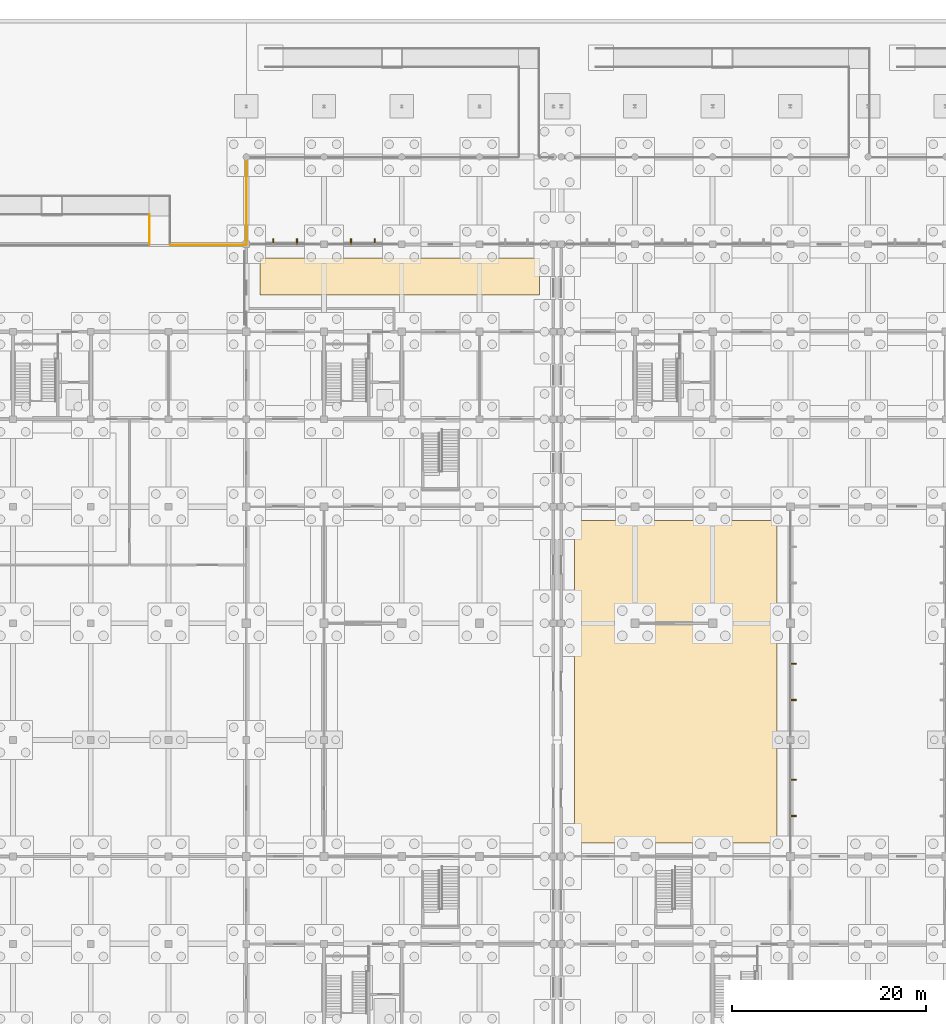
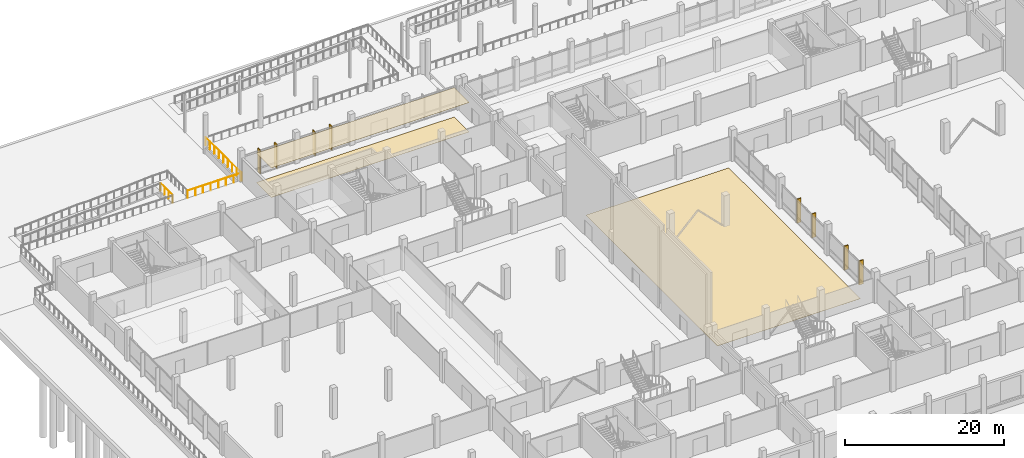
# One storey, part 65 of 72: 8 shading devices, 3 coverings, 3 railings.
"""IFC4 building model written with IfcOpenShell, lengths in metres."""

from ifc_helpers import new_model, si_unit, direction, frame, origin, origin_2d, place, context, subcontext, project, spatial, polyline, rectangle, circle, outline, extrude, material, layer, layer_set, type_object, element, save


model = new_model("IFC4")

# Units and contexts
model_context = context("Model", 3, precision=1e-05, world=origin(), true_north=direction((0.0, 1.0)))
body_context = subcontext(model_context, "Body", "Model", "MODEL_VIEW")
ifc_project = project(units=[si_unit("LENGTHUNIT", "METRE"), si_unit("AREAUNIT", "SQUARE_METRE"), si_unit("VOLUMEUNIT", "CUBIC_METRE"), si_unit("PLANEANGLEUNIT", "RADIAN"), si_unit("MASSUNIT", "GRAM", prefix="KILO"), si_unit("THERMODYNAMICTEMPERATUREUNIT", "KELVIN"), si_unit("POWERUNIT", "WATT")], contexts=[model_context])

# Site, building, storey
site_placement = place(None, origin())
site = spatial("IfcSite", under=ifc_project, at=site_placement, CompositionType="ELEMENT")
building_placement = place(site_placement, origin())
building = spatial("IfcBuilding", under=site, at=building_placement, Name="Kronsvod Quay Wholesale Market", CompositionType="ELEMENT")
storey_placement = place(building_placement, origin())
storey = spatial("IfcBuildingStorey", under=building, at=storey_placement, Name="L00", CompositionType="ELEMENT", Elevation=0.0)

# Coverings
ifc_material_1 = material(Name="Moisture-resistant gypsum board ceiling")
ifc_layer_1 = layer(ifc_material_1, 0.02490234375)
ifc_layer_set_1 = layer_set([ifc_layer_1], Name="Moisture-resistant gypsum board ceiling")
covering_type_1 = type_object("IfcCoveringType", Name="Cov_Ceil03", PredefinedType="CEILING", material=ifc_layer_set_1)
covering_1_placement = place(storey_placement, frame((0.0, 0.0, 4.52490234375)))
element("IfcCovering", 1, at=covering_1_placement, inside=storey, type_object=covering_type_1, Name="CLG-SP-L00-V5-12", PredefinedType="CEILING", context=body_context, shape_type="SweptSolid", body=[
    extrude(outline(polyline([(33.39990234375, 111.800048828125), (62.199951171875, 111.800048828125), (62.199951171875, 115.60009765625), (33.39990234375, 115.60009765625), (33.39990234375, 111.800048828125)])), origin(), (0.0, 0.0, 1.0), 0.025146484375),
])
ifc_material_2 = material(Name="Heavy-duty polyurethane resin market screed")
ifc_layer_2 = layer(ifc_material_2, 0.02001953125)
ifc_layer_set_2 = layer_set([ifc_layer_2], Name="Heavy-duty polyurethane resin market screed")
covering_type_2 = type_object("IfcCoveringType", Name="Cov_Floor01", PredefinedType="FLOORING", material=ifc_layer_set_2)
covering_2_placement = place(storey_placement, origin())
element("IfcCovering", 2, at=covering_2_placement, inside=storey, type_object=covering_type_2, Name="FLR-SP-L00-V1-04", PredefinedType="FLOORING", context=body_context, shape_type="SweptSolid", body=[
    extrude(outline(polyline([(65.800048828125, 55.39990234375), (86.60009765625, 55.39990234375), (86.60009765625, 88.60009765625), (65.800048828125, 88.60009765625), (65.800048828125, 55.39990234375)])), origin(), (0.0, 0.0, 1.0), 0.02001953125),
])
ifc_material_3 = material(Name="Polished terrazzo concourse flooring")
ifc_layer_3 = layer(ifc_material_3, 0.01806640625)
ifc_layer_set_3 = layer_set([ifc_layer_3], Name="Polished terrazzo concourse flooring")
covering_type_3 = type_object("IfcCoveringType", Name="Cov_Floor03", PredefinedType="FLOORING", material=ifc_layer_set_3)
covering_3_placement = place(storey_placement, origin())
element("IfcCovering", 3, at=covering_3_placement, inside=storey, type_object=covering_type_3, Name="FLR-SP-L00-V5-12", PredefinedType="FLOORING", context=body_context, shape_type="SweptSolid", body=[
    extrude(outline(polyline([(33.39990234375, 111.800048828125), (62.199951171875, 111.800048828125), (62.199951171875, 115.60009765625), (33.39990234375, 115.60009765625), (33.39990234375, 111.800048828125)])), origin(), (0.0, 0.0, 1.0), 0.01806640625),
])

# Railings
ifc_material_4 = material(Name="Stainless steel", Category="steel")
railing_type = type_object("IfcRailingType", Name="Railing_Guard1200", PredefinedType="GUARDRAIL", material=ifc_material_4)
railing_1_placement = place(storey_placement, frame((32.0, 117.0, 0.0)))
element("IfcRailing", 4, at=railing_1_placement, inside=storey, type_object=railing_type, Name="GRD-L00-N0W", PredefinedType="GUARDRAIL", context=body_context, shape_type="SweptSolid", body=[
    extrude(circle(Radius=0.02392578125, at=origin_2d()), frame((0.0, 0.0, 1.17578125), z_axis=(0.0, 1.0, 0.0), x_axis=(-1.0, 0.0, 0.0)), (0.0, 0.0, 1.0), 8.949951171875),
    extrude(circle(Radius=0.02099609375, at=origin_2d()), origin(), (0.0, 0.0, 1.0), 1.15185546875),
    extrude(circle(Radius=0.02099609375, at=origin_2d()), frame((0.0, 1.11865234375, 0.0)), (0.0, 0.0, 1.0), 1.15185546875),
    extrude(circle(Radius=0.02099609375, at=origin_2d()), frame((0.0, 2.237548828125, 0.0)), (0.0, 0.0, 1.0), 1.15185546875),
    extrude(circle(Radius=0.02099609375, at=origin_2d()), frame((0.0, 3.356201171875, 0.0)), (0.0, 0.0, 1.0), 1.15185546875),
    extrude(circle(Radius=0.02099609375, at=origin_2d()), frame((0.0, 4.47509765625, 0.0)), (0.0, 0.0, 1.0), 1.15185546875),
    extrude(circle(Radius=0.02099609375, at=origin_2d()), frame((0.0, 5.59375, 0.0)), (0.0, 0.0, 1.0), 1.15185546875),
    extrude(circle(Radius=0.02099609375, at=origin_2d()), frame((0.0, 6.71240234375, 0.0)), (0.0, 0.0, 1.0), 1.15185546875),
    extrude(circle(Radius=0.02099609375, at=origin_2d()), frame((0.0, 7.831298828125, 0.0)), (0.0, 0.0, 1.0), 1.15185546875),
    extrude(circle(Radius=0.02099609375, at=origin_2d()), frame((0.0, 8.949951171875, 0.0)), (0.0, 0.0, 1.0), 1.15185546875),
])
railing_2_placement = place(storey_placement, frame((24.199951171875, 116.949951171875, 0.0)))
element("IfcRailing", 5, at=railing_2_placement, inside=storey, type_object=railing_type, Name="GRD-L00-NW2", PredefinedType="GUARDRAIL", context=body_context, shape_type="SweptSolid", body=[
    extrude(circle(Radius=0.02392578125, at=origin_2d()), frame((0.0, 0.0, 1.17578125), z_axis=(1.0, 0.0, 0.0), x_axis=(0.0, 1.0, 0.0)), (0.0, 0.0, 1.0), 7.800048828125),
    extrude(circle(Radius=0.02099609375, at=origin_2d()), origin(), (0.0, 0.0, 1.0), 1.15185546875),
    extrude(circle(Radius=0.02099609375, at=origin_2d()), frame((1.1142578125, 0.0, 0.0)), (0.0, 0.0, 1.0), 1.15185546875),
    extrude(circle(Radius=0.02099609375, at=origin_2d()), frame((2.228515625, 0.0, 0.0)), (0.0, 0.0, 1.0), 1.15185546875),
    extrude(circle(Radius=0.02099609375, at=origin_2d()), frame((3.3427734375, 0.0, 0.0)), (0.0, 0.0, 1.0), 1.15185546875),
    extrude(circle(Radius=0.02099609375, at=origin_2d()), frame((4.457275390625, 0.0, 0.0)), (0.0, 0.0, 1.0), 1.15185546875),
    extrude(circle(Radius=0.02099609375, at=origin_2d()), frame((5.571533203125, 0.0, 0.0)), (0.0, 0.0, 1.0), 1.15185546875),
    extrude(circle(Radius=0.02099609375, at=origin_2d()), frame((6.685791015625, 0.0, 0.0)), (0.0, 0.0, 1.0), 1.15185546875),
    extrude(circle(Radius=0.02099609375, at=origin_2d()), frame((7.800048828125, 0.0, 0.0)), (0.0, 0.0, 1.0), 1.15185546875),
])
railing_3_placement = place(storey_placement, frame((22.050048828125, 117.0, 0.0)))
element("IfcRailing", 6, at=railing_3_placement, inside=storey, type_object=railing_type, Name="GRD-RMP-NW1W", PredefinedType="GUARDRAIL", context=body_context, shape_type="SweptSolid", body=[
    extrude(circle(Radius=0.02392578125, at=origin_2d()), frame((0.0, 0.0, 1.17578125), z_axis=(0.0, 1.0, 0.0), x_axis=(-1.0, 0.0, 0.0)), (0.0, 0.0, 1.0), 3.050048828125),
    extrude(circle(Radius=0.02099609375, at=origin_2d()), origin(), (0.0, 0.0, 1.0), 1.15185546875),
    extrude(circle(Radius=0.02099609375, at=origin_2d()), frame((0.0, 1.0166015625, 0.0)), (0.0, 0.0, 1.0), 1.15185546875),
    extrude(circle(Radius=0.02099609375, at=origin_2d()), frame((0.0, 2.033447265625, 0.0)), (0.0, 0.0, 1.0), 1.15185546875),
    extrude(circle(Radius=0.02099609375, at=origin_2d()), frame((0.0, 3.050048828125, 0.0)), (0.0, 0.0, 1.0), 1.15185546875),
])

# Shading devices
ifc_material_5 = material(Name="Anodised aluminium", Category="aluminium")
shading_device_type = type_object("IfcShadingDeviceType", Name="Shade_SolarFin", PredefinedType="AWNING", material=ifc_material_5)
for number, where, z_axis, x_axis, name in (
    (7, (34.78173828125, 117.280029296875, -0.02001953125), (0.0, 0.0, 1.0), (1.0, 0.0, 0.0), "SHDF-CWGX-L00-320-1170-348"),
    (8, (37.21826171875, 117.280029296875, -0.02001953125), (0.0, 0.0, 1.0), (1.0, 0.0, 0.0), "SHDF-CWGX-L00-320-1170-372"),
    (9, (42.78173828125, 117.280029296875, -0.02001953125), (0.0, 0.0, 1.0), (1.0, 0.0, 0.0), "SHDF-CWGX-L00-400-1170-428"),
    (10, (45.21826171875, 117.280029296875, -0.02001953125), (0.0, 0.0, 1.0), (1.0, 0.0, 0.0), "SHDF-CWGX-L00-400-1170-452"),
):
    element("IfcShadingDevice", number, at=place(storey_placement, frame(where, z_axis=z_axis, x_axis=x_axis)), inside=storey, type_object=shading_device_type, Name=name, PredefinedType="AWNING", context=body_context, shape_type="SweptSolid", body=[
        extrude(rectangle(XDim=0.139892578125, YDim=0.6201171875, at=origin_2d()), origin(), (0.0, 0.0, 1.0), 3.68994140625),
    ])
for number, where, z_axis, x_axis, name in (
    (11, (88.280029296875, 58.148193359375, -0.02001953125), (0.0, 0.0, 1.0), (1.0, 0.0, 0.0), "SHDF-CWGY-L00-880-540-581"),
    (12, (88.280029296875, 61.901611328125, -0.02001953125), (0.0, 0.0, 1.0), (1.0, 0.0, 0.0), "SHDF-CWGY-L00-880-540-619"),
    (13, (88.280029296875, 70.090087890625, -0.02001953125), (0.0, 0.0, 1.0), (1.0, 0.0, 0.0), "SHDF-CWGY-L00-880-660-701"),
    (14, (88.280029296875, 73.8349609375, -0.02001953125), (0.0, 0.0, 1.0), (1.0, 0.0, 0.0), "SHDF-CWGY-L00-880-660-738"),
):
    element("IfcShadingDevice", number, at=place(storey_placement, frame(where, z_axis=z_axis, x_axis=x_axis)), inside=storey, type_object=shading_device_type, Name=name, PredefinedType="AWNING", context=body_context, shape_type="SweptSolid", body=[
        extrude(rectangle(XDim=0.6201171875, YDim=0.139892578125, at=origin_2d()), origin(), (0.0, 0.0, 1.0), 3.68994140625),
    ])

save(model, "model.ifc")
